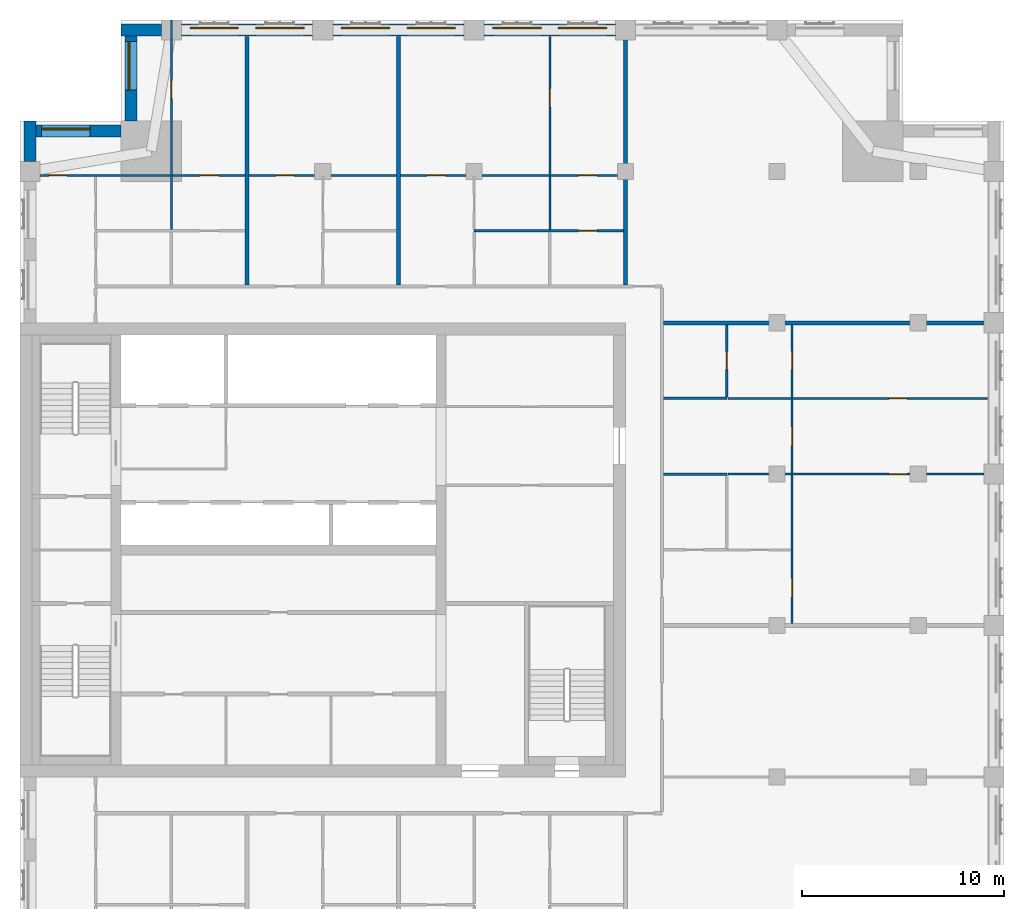
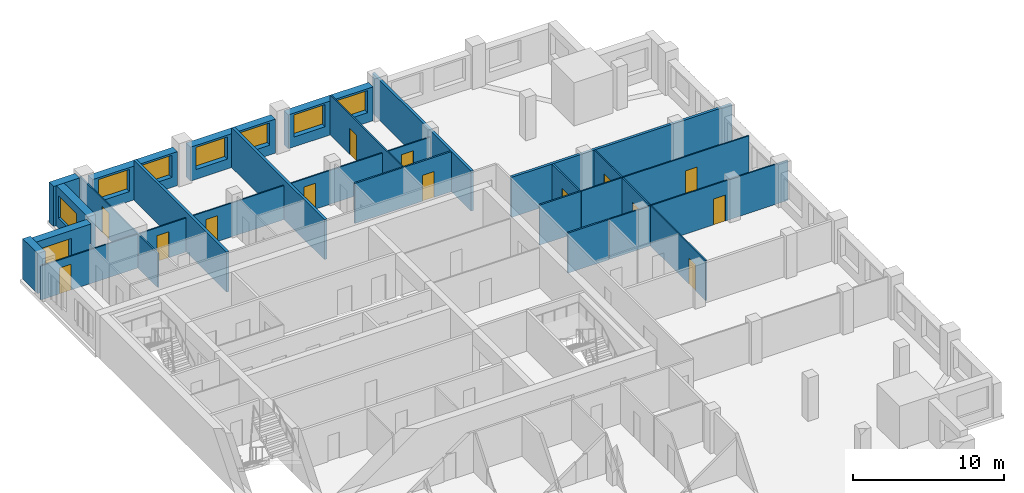
# One storey, part 7 of 10: 21 walls, 14 doors, 8 windows, 22 openings.
"""IFC4 building model written with IfcOpenShell, lengths in metres."""

from ifc_helpers import new_model, si_unit, direction, frame, frame_2d, origin, place, context, subcontext, project, spatial, rectangle, extrude, material, layer, layer_set, type_object, element, fill, save


model = new_model("IFC4")

# Units and contexts
model_context = context("Model", 3, precision=1e-05, world=origin(), true_north=direction((0.0, 1.0)))
body_context = subcontext(model_context, "Body", "Model", "MODEL_VIEW")
ifc_project = project(units=[si_unit("LENGTHUNIT", "METRE"), si_unit("AREAUNIT", "SQUARE_METRE"), si_unit("VOLUMEUNIT", "CUBIC_METRE"), si_unit("PLANEANGLEUNIT", "RADIAN"), si_unit("MASSUNIT", "GRAM", prefix="KILO")], contexts=[model_context])

# Site, building, storey
site_placement = place(None, origin())
site = spatial("IfcSite", under=ifc_project, at=site_placement, CompositionType="ELEMENT")
building_placement = place(site_placement, origin())
building = spatial("IfcBuilding", under=site, at=building_placement, Name="Tamorin Gate", CompositionType="ELEMENT")
storey_placement = place(building_placement, frame((0.0, 0.0, 223.199951171875)))
storey = spatial("IfcBuildingStorey", under=building, at=storey_placement, Name="L55", CompositionType="ELEMENT", Elevation=223.199951171875)

# Wall, openings, windows
ifc_material_1 = material(Name="Precast concrete C40/50", Category="concrete")
ifc_layer_1 = layer(ifc_material_1, 0.60009765625)
ifc_layer_set_1 = layer_set([ifc_layer_1], Name="Precast concrete C40/50")
wall_type_1 = type_object("IfcWallType", Name="Board-marked concrete facade panel 600", PredefinedType="SOLIDWALL", material=ifc_layer_set_1)
wall_1_placement = place(storey_placement, frame((59.5, 97.0, 0.0), z_axis=(0.0, 0.0, 1.0), x_axis=(-1.0, 0.0, 0.0)))
wall_1 = element("IfcWall", 1, at=wall_1_placement, inside=storey, type_object=wall_type_1, Name="Facade panel", PredefinedType="SOLIDWALL", context=body_context, shape_type="SweptSolid", body=[
    extrude(rectangle(XDim=6.5, YDim=0.60009765625, at=frame_2d((3.25, 0.0))), origin(), (0.0, 0.0, 1.0), 2.75),
])
opening_1_placement = place(wall_1_placement, frame((3.675048828125, 0.0, 0.800048828125)))
opening_1 = element("IfcOpeningElement", 2, at=opening_1_placement, cuts=wall_1, Name="Opening WN1", PredefinedType="OPENING", context=body_context, shape_type="SweptSolid", body=[
    extrude(rectangle(XDim=2.39990234375, YDim=1.800048828125, at=frame_2d((1.199951171875, 0.89990234375))), frame((0.0, 0.31005859375, 0.0), z_axis=(0.0, -1.0, 0.0), x_axis=(1.0, 0.0, 0.0)), (0.0, 0.0, 1.0), 0.6201171875),
])
opening_2_placement = place(wall_1_placement, frame((0.425048828125, 0.0, 0.800048828125)))
opening_2 = element("IfcOpeningElement", 3, at=opening_2_placement, cuts=wall_1, Name="Opening WN1", PredefinedType="OPENING", context=body_context, shape_type="SweptSolid", body=[
    extrude(rectangle(XDim=2.39990234375, YDim=1.800048828125, at=frame_2d((1.199951171875, 0.89990234375))), frame((0.0, 0.31005859375, 0.0), z_axis=(0.0, -1.0, 0.0), x_axis=(1.0, 0.0, 0.0)), (0.0, 0.0, 1.0), 0.6201171875),
])
ifc_material_2 = material(Name="Clear glass in aluminium frame", Category="aluminium")
window_type = type_object("IfcWindowType", Name="Deep-set window 2400x1800", PartitioningType="SINGLE_PANEL", PredefinedType="WINDOW", material=ifc_material_2)
window_1_placement = place(opening_1_placement, origin())
window_1 = element("IfcWindow", 4, at=window_1_placement, inside=storey, type_object=window_type, Name="Deep-set window", OverallHeight=1.800048828125, OverallWidth=2.39990234375, PartitioningType="SINGLE_PANEL", PredefinedType="WINDOW", context=body_context, shape_type="SweptSolid", body=[
    extrude(rectangle(XDim=2.39990234375, YDim=1.800048828125, at=frame_2d((1.199951171875, 0.89990234375))), frame((0.0, -0.070068359375, 0.0), z_axis=(0.0, -1.0, 0.0), x_axis=(1.0, 0.0, 0.0)), (0.0, 0.0, 1.0), 0.06005859375),
])
fill(opening_1, window_1)
window_2_placement = place(opening_2_placement, origin())
window_2 = element("IfcWindow", 5, at=window_2_placement, inside=storey, type_object=window_type, Name="Deep-set window", OverallHeight=1.800048828125, OverallWidth=2.39990234375, PartitioningType="SINGLE_PANEL", PredefinedType="WINDOW", context=body_context, shape_type="SweptSolid", body=[
    extrude(rectangle(XDim=2.39990234375, YDim=1.800048828125, at=frame_2d((1.199951171875, 0.89990234375))), frame((0.0, -0.070068359375, 0.0), z_axis=(0.0, -1.0, 0.0), x_axis=(1.0, 0.0, 0.0)), (0.0, 0.0, 1.0), 0.06005859375),
])
fill(opening_2, window_2)

wall_2_placement = place(storey_placement, frame((52.0, 97.0, 0.0), z_axis=(0.0, 0.0, 1.0), x_axis=(-1.0, 0.0, 0.0)))
wall_2 = element("IfcWall", 6, at=wall_2_placement, inside=storey, type_object=wall_type_1, Name="Facade panel", PredefinedType="SOLIDWALL", context=body_context, shape_type="SweptSolid", body=[
    extrude(rectangle(XDim=6.5, YDim=0.60009765625, at=frame_2d((3.25, 0.0))), origin(), (0.0, 0.0, 1.0), 2.75),
])
opening_3_placement = place(wall_2_placement, frame((3.675048828125, 0.0, 0.800048828125)))
opening_3 = element("IfcOpeningElement", 7, at=opening_3_placement, cuts=wall_2, Name="Opening WN1", PredefinedType="OPENING", context=body_context, shape_type="SweptSolid", body=[
    extrude(rectangle(XDim=2.39990234375, YDim=1.800048828125, at=frame_2d((1.199951171875, 0.89990234375))), frame((0.0, 0.31005859375, 0.0), z_axis=(0.0, -1.0, 0.0), x_axis=(1.0, 0.0, 0.0)), (0.0, 0.0, 1.0), 0.6201171875),
])
opening_4_placement = place(wall_2_placement, frame((0.425048828125, 0.0, 0.800048828125)))
opening_4 = element("IfcOpeningElement", 8, at=opening_4_placement, cuts=wall_2, Name="Opening WN1", PredefinedType="OPENING", context=body_context, shape_type="SweptSolid", body=[
    extrude(rectangle(XDim=2.39990234375, YDim=1.800048828125, at=frame_2d((1.199951171875, 0.89990234375))), frame((0.0, 0.31005859375, 0.0), z_axis=(0.0, -1.0, 0.0), x_axis=(1.0, 0.0, 0.0)), (0.0, 0.0, 1.0), 0.6201171875),
])
window_3_placement = place(opening_3_placement, origin())
window_3 = element("IfcWindow", 9, at=window_3_placement, inside=storey, type_object=window_type, Name="Deep-set window", OverallHeight=1.800048828125, OverallWidth=2.39990234375, PartitioningType="SINGLE_PANEL", PredefinedType="WINDOW", context=body_context, shape_type="SweptSolid", body=[
    extrude(rectangle(XDim=2.39990234375, YDim=1.800048828125, at=frame_2d((1.199951171875, 0.89990234375))), frame((0.0, -0.070068359375, 0.0), z_axis=(0.0, -1.0, 0.0), x_axis=(1.0, 0.0, 0.0)), (0.0, 0.0, 1.0), 0.06005859375),
])
fill(opening_3, window_3)
window_4_placement = place(opening_4_placement, origin())
window_4 = element("IfcWindow", 10, at=window_4_placement, inside=storey, type_object=window_type, Name="Deep-set window", OverallHeight=1.800048828125, OverallWidth=2.39990234375, PartitioningType="SINGLE_PANEL", PredefinedType="WINDOW", context=body_context, shape_type="SweptSolid", body=[
    extrude(rectangle(XDim=2.39990234375, YDim=1.800048828125, at=frame_2d((1.199951171875, 0.89990234375))), frame((0.0, -0.070068359375, 0.0), z_axis=(0.0, -1.0, 0.0), x_axis=(1.0, 0.0, 0.0)), (0.0, 0.0, 1.0), 0.06005859375),
])
fill(opening_4, window_4)

wall_3_placement = place(storey_placement, frame((44.5, 97.0, 0.0), z_axis=(0.0, 0.0, 1.0), x_axis=(-1.0, 0.0, 0.0)))
wall_3 = element("IfcWall", 11, at=wall_3_placement, inside=storey, type_object=wall_type_1, Name="Facade panel", PredefinedType="SOLIDWALL", context=body_context, shape_type="SweptSolid", body=[
    extrude(rectangle(XDim=6.5, YDim=0.60009765625, at=frame_2d((3.25, 0.0))), origin(), (0.0, 0.0, 1.0), 2.75),
])
opening_5_placement = place(wall_3_placement, frame((3.675048828125, 0.0, 0.800048828125)))
opening_5 = element("IfcOpeningElement", 12, at=opening_5_placement, cuts=wall_3, Name="Opening WN1", PredefinedType="OPENING", context=body_context, shape_type="SweptSolid", body=[
    extrude(rectangle(XDim=2.39990234375, YDim=1.800048828125, at=frame_2d((1.199951171875, 0.89990234375))), frame((0.0, 0.31005859375, 0.0), z_axis=(0.0, -1.0, 0.0), x_axis=(1.0, 0.0, 0.0)), (0.0, 0.0, 1.0), 0.6201171875),
])
opening_6_placement = place(wall_3_placement, frame((0.425048828125, 0.0, 0.800048828125)))
opening_6 = element("IfcOpeningElement", 13, at=opening_6_placement, cuts=wall_3, Name="Opening WN1", PredefinedType="OPENING", context=body_context, shape_type="SweptSolid", body=[
    extrude(rectangle(XDim=2.39990234375, YDim=1.800048828125, at=frame_2d((1.199951171875, 0.89990234375))), frame((0.0, 0.31005859375, 0.0), z_axis=(0.0, -1.0, 0.0), x_axis=(1.0, 0.0, 0.0)), (0.0, 0.0, 1.0), 0.6201171875),
])
window_5_placement = place(opening_5_placement, origin())
window_5 = element("IfcWindow", 14, at=window_5_placement, inside=storey, type_object=window_type, Name="Deep-set window", OverallHeight=1.800048828125, OverallWidth=2.39990234375, PartitioningType="SINGLE_PANEL", PredefinedType="WINDOW", context=body_context, shape_type="SweptSolid", body=[
    extrude(rectangle(XDim=2.39990234375, YDim=1.800048828125, at=frame_2d((1.199951171875, 0.89990234375))), frame((0.0, -0.070068359375, 0.0), z_axis=(0.0, -1.0, 0.0), x_axis=(1.0, 0.0, 0.0)), (0.0, 0.0, 1.0), 0.06005859375),
])
fill(opening_5, window_5)
window_6_placement = place(opening_6_placement, origin())
window_6 = element("IfcWindow", 15, at=window_6_placement, inside=storey, type_object=window_type, Name="Deep-set window", OverallHeight=1.800048828125, OverallWidth=2.39990234375, PartitioningType="SINGLE_PANEL", PredefinedType="WINDOW", context=body_context, shape_type="SweptSolid", body=[
    extrude(rectangle(XDim=2.39990234375, YDim=1.800048828125, at=frame_2d((1.199951171875, 0.89990234375))), frame((0.0, -0.070068359375, 0.0), z_axis=(0.0, -1.0, 0.0), x_axis=(1.0, 0.0, 0.0)), (0.0, 0.0, 1.0), 0.06005859375),
])
fill(opening_6, window_6)

# Wall
wall_4_placement = place(storey_placement, frame((37.0, 97.0, 0.0), z_axis=(0.0, 0.0, 1.0), x_axis=(-1.0, 0.0, 0.0)))
element("IfcWall", 16, at=wall_4_placement, inside=storey, type_object=wall_type_1, Name="Facade panel", PredefinedType="SOLIDWALL", context=body_context, shape_type="SweptSolid", body=[
    extrude(rectangle(XDim=2.0, YDim=0.60009765625, at=frame_2d((1.0, 0.0))), origin(), (0.0, 0.0, 1.0), 3.25),
])

# Wall, opening, window
wall_5_placement = place(storey_placement, frame((35.5, 96.699951171875, 0.0), z_axis=(0.0, 0.0, 1.0), x_axis=(0.0, -1.0, 0.0)))
wall_5 = element("IfcWall", 17, at=wall_5_placement, inside=storey, type_object=wall_type_1, Name="Facade panel", PredefinedType="SOLIDWALL", context=body_context, shape_type="SweptSolid", body=[
    extrude(rectangle(XDim=4.199951171875, YDim=0.60009765625, at=frame_2d((2.10009765625, 0.0))), origin(), (0.0, 0.0, 1.0), 3.25),
])
opening_7_placement = place(wall_5_placement, frame((0.27490234375, 0.0, 0.800048828125)))
opening_7 = element("IfcOpeningElement", 18, at=opening_7_placement, cuts=wall_5, Name="Opening WN1", PredefinedType="OPENING", context=body_context, shape_type="SweptSolid", body=[
    extrude(rectangle(XDim=2.39990234375, YDim=1.800048828125, at=frame_2d((1.199951171875, 0.89990234375))), frame((0.0, 0.31005859375, 0.0), z_axis=(0.0, -1.0, 0.0), x_axis=(1.0, 0.0, 0.0)), (0.0, 0.0, 1.0), 0.6201171875),
])
window_7_placement = place(opening_7_placement, origin())
window_7 = element("IfcWindow", 19, at=window_7_placement, inside=storey, type_object=window_type, Name="Deep-set window", OverallHeight=1.800048828125, OverallWidth=2.39990234375, PartitioningType="SINGLE_PANEL", PredefinedType="WINDOW", context=body_context, shape_type="SweptSolid", body=[
    extrude(rectangle(XDim=2.39990234375, YDim=1.800048828125, at=frame_2d((1.199951171875, 0.89990234375))), frame((0.0, -0.070068359375, 0.0), z_axis=(0.0, -1.0, 0.0), x_axis=(1.0, 0.0, 0.0)), (0.0, 0.0, 1.0), 0.06005859375),
])
fill(opening_7, window_7)

wall_6_placement = place(storey_placement, frame((35.0, 92.0, 0.0), z_axis=(0.0, 0.0, 1.0), x_axis=(-1.0, 0.0, 0.0)))
wall_6 = element("IfcWall", 20, at=wall_6_placement, inside=storey, type_object=wall_type_1, Name="Facade panel", PredefinedType="SOLIDWALL", context=body_context, shape_type="SweptSolid", body=[
    extrude(rectangle(XDim=4.199951171875, YDim=0.60009765625, at=frame_2d((2.10009765625, 0.0))), origin(), (0.0, 0.0, 1.0), 3.25),
])
opening_8_placement = place(wall_6_placement, frame((1.52490234375, 0.0, 0.800048828125)))
opening_8 = element("IfcOpeningElement", 21, at=opening_8_placement, cuts=wall_6, Name="Opening WN1", PredefinedType="OPENING", context=body_context, shape_type="SweptSolid", body=[
    extrude(rectangle(XDim=2.39990234375, YDim=1.800048828125, at=frame_2d((1.199951171875, 0.89990234375))), frame((0.0, 0.31005859375, 0.0), z_axis=(0.0, -1.0, 0.0), x_axis=(1.0, 0.0, 0.0)), (0.0, 0.0, 1.0), 0.6201171875),
])
window_8_placement = place(opening_8_placement, origin())
window_8 = element("IfcWindow", 22, at=window_8_placement, inside=storey, type_object=window_type, Name="Deep-set window", OverallHeight=1.800048828125, OverallWidth=2.39990234375, PartitioningType="SINGLE_PANEL", PredefinedType="WINDOW", context=body_context, shape_type="SweptSolid", body=[
    extrude(rectangle(XDim=2.39990234375, YDim=1.800048828125, at=frame_2d((1.199951171875, 0.89990234375))), frame((0.0, -0.070068359375, 0.0), z_axis=(0.0, -1.0, 0.0), x_axis=(1.0, 0.0, 0.0)), (0.0, 0.0, 1.0), 0.06005859375),
])
fill(opening_8, window_8)

# Walls
wall_7_placement = place(storey_placement, frame((30.5, 92.5, 0.0), z_axis=(0.0, 0.0, 1.0), x_axis=(0.0, -1.0, 0.0)))
element("IfcWall", 23, at=wall_7_placement, inside=storey, type_object=wall_type_1, Name="Facade panel", PredefinedType="SOLIDWALL", context=body_context, shape_type="SweptSolid", body=[
    extrude(rectangle(XDim=2.0, YDim=0.60009765625, at=frame_2d((1.0, 0.0))), origin(), (0.0, 0.0, 1.0), 3.25),
])
ifc_material_3 = material(Name="Gypsum board partition")
ifc_layer_2 = layer(ifc_material_3, 0.199951171875)
ifc_layer_set_2 = layer_set([ifc_layer_2], Name="Demising wall 200")
wall_type_2 = type_object("IfcWallType", Name="Demising wall 200", PredefinedType="PARTITIONING", material=ifc_layer_set_2)
wall_8_placement = place(storey_placement, frame((61.875, 82.5, 0.0), z_axis=(0.0, 0.0, 1.0), x_axis=(1.0, 0.0, 0.0)))
element("IfcWall", 24, at=wall_8_placement, inside=storey, type_object=wall_type_2, Name="Demising wall 200", PredefinedType="PARTITIONING", context=body_context, shape_type="SweptSolid", body=[
    extrude(rectangle(XDim=16.875, YDim=0.199951171875, at=frame_2d((8.4375, 0.0))), origin(), (0.0, 0.0, 1.0), 3.25),
])
for number, where, z_axis, x_axis, name in (
    (25, (41.25, 84.375, 0.0), (0.0, 0.0, 1.0), (0.0, 1.0, 0.0), "Demising wall 200"),
    (26, (48.75, 84.375, 0.0), (0.0, 0.0, 1.0), (0.0, 1.0, 0.0), "Demising wall 200"),
):
    element("IfcWall", number, at=place(storey_placement, frame(where, z_axis=z_axis, x_axis=x_axis)), inside=storey, type_object=wall_type_2, Name=name, PredefinedType="PARTITIONING", context=body_context, shape_type="SweptSolid", body=[
        extrude(rectangle(XDim=12.31494140625, YDim=0.199951171875, at=frame_2d((6.157470703125, 0.0))), origin(), (0.0, 0.0, 1.0), 3.25),
    ])
wall_9_placement = place(storey_placement, frame((60.0, 84.375, 0.0), z_axis=(0.0, 0.0, 1.0), x_axis=(0.0, 1.0, 0.0)))
element("IfcWall", 27, at=wall_9_placement, inside=storey, type_object=wall_type_2, Name="Demising wall 200", PredefinedType="PARTITIONING", context=body_context, shape_type="SweptSolid", body=[
    extrude(rectangle(XDim=13.125, YDim=0.199951171875, at=frame_2d((6.5625, 0.0))), origin(), (0.0, 0.0, 1.0), 3.25),
])

# Wall, opening, door
ifc_layer_3 = layer(ifc_material_3, 0.10009765625)
ifc_layer_set_3 = layer_set([ifc_layer_3], Name="Room partition 100")
wall_type_3 = type_object("IfcWallType", Name="Room partition 100", PredefinedType="PARTITIONING", material=ifc_layer_set_3)
wall_10_placement = place(storey_placement, frame((65.08740234375, 75.0, 0.0), z_axis=(0.0, 0.0, 1.0), x_axis=(1.0, 0.0, 0.0)))
wall_10 = element("IfcWall", 28, at=wall_10_placement, inside=storey, type_object=wall_type_3, Name="Room partition 100", PredefinedType="PARTITIONING", context=body_context, shape_type="SweptSolid", body=[
    extrude(rectangle(XDim=13.66259765625, YDim=0.10009765625, at=frame_2d((6.831298828125, 0.0))), origin(), (0.0, 0.0, 1.0), 3.25),
])
opening_9_placement = place(wall_10_placement, frame((7.96240234375, 0.0, 0.0)))
opening_9 = element("IfcOpeningElement", 29, at=opening_9_placement, cuts=wall_10, Name="Opening DR5049", PredefinedType="OPENING", context=body_context, shape_type="SweptSolid", body=[
    extrude(rectangle(XDim=0.89990234375, YDim=2.10009765625, at=frame_2d((0.449951171875, 1.050048828125))), frame((0.0, 0.06005859375, 0.0), z_axis=(0.0, -1.0, 0.0), x_axis=(1.0, 0.0, 0.0)), (0.0, 0.0, 1.0), 0.1201171875),
])
ifc_material_4 = material(Name="Timber door leaf", Category="wood")
door_type = type_object("IfcDoorType", Name="Door 900 x 2100", OperationType="NOTDEFINED", PredefinedType="DOOR", material=ifc_material_4)
door_1_placement = place(opening_9_placement, origin())
door_1 = element("IfcDoor", 30, at=door_1_placement, inside=storey, type_object=door_type, Name="Door DR5049", OperationType="SINGLE_SWING_RIGHT", OverallHeight=2.10009765625, OverallWidth=0.89990234375, PredefinedType="DOOR", context=body_context, shape_type="SweptSolid", body=[
    extrude(rectangle(XDim=0.89990234375, YDim=2.10009765625, at=frame_2d((0.449951171875, 1.050048828125))), frame((0.0, 0.02490234375, 0.0), z_axis=(0.0, -1.0, 0.0), x_axis=(1.0, 0.0, 0.0)), (0.0, 0.0, 1.0), 0.050048828125),
])
fill(opening_9, door_1)

wall_11_placement = place(storey_placement, frame((65.08740234375, 78.75, 0.0), z_axis=(0.0, 0.0, 1.0), x_axis=(1.0, 0.0, 0.0)))
wall_11 = element("IfcWall", 31, at=wall_11_placement, inside=storey, type_object=wall_type_3, Name="Room partition 100", PredefinedType="PARTITIONING", context=body_context, shape_type="SweptSolid", body=[
    extrude(rectangle(XDim=12.8525390625, YDim=0.10009765625, at=frame_2d((6.42626953125, 0.0))), origin(), (0.0, 0.0, 1.0), 3.25),
])
opening_10_placement = place(wall_11_placement, frame((7.96240234375, 0.0, 0.0)))
opening_10 = element("IfcOpeningElement", 32, at=opening_10_placement, cuts=wall_11, Name="Opening DR5050", PredefinedType="OPENING", context=body_context, shape_type="SweptSolid", body=[
    extrude(rectangle(XDim=0.89990234375, YDim=2.10009765625, at=frame_2d((0.449951171875, 1.050048828125))), frame((0.0, 0.06005859375, 0.0), z_axis=(0.0, -1.0, 0.0), x_axis=(1.0, 0.0, 0.0)), (0.0, 0.0, 1.0), 0.1201171875),
])
door_2_placement = place(opening_10_placement, origin())
door_2 = element("IfcDoor", 33, at=door_2_placement, inside=storey, type_object=door_type, Name="Door DR5050", OperationType="SINGLE_SWING_RIGHT", OverallHeight=2.10009765625, OverallWidth=0.89990234375, PredefinedType="DOOR", context=body_context, shape_type="SweptSolid", body=[
    extrude(rectangle(XDim=0.89990234375, YDim=2.10009765625, at=frame_2d((0.449951171875, 1.050048828125))), frame((0.0, 0.02490234375, 0.0), z_axis=(0.0, -1.0, 0.0), x_axis=(1.0, 0.0, 0.0)), (0.0, 0.0, 1.0), 0.050048828125),
])
fill(opening_10, door_2)

# Wall, openings, doors
wall_12_placement = place(storey_placement, frame((30.0, 89.800048828125, 0.0), z_axis=(0.0, 0.0, 1.0), x_axis=(1.0, 0.0, 0.0)))
wall_12 = element("IfcWall", 34, at=wall_12_placement, inside=storey, type_object=wall_type_3, Name="Room partition 100", PredefinedType="PARTITIONING", context=body_context, shape_type="SweptSolid", body=[
    extrude(rectangle(XDim=29.89990234375, YDim=0.10009765625, at=frame_2d((14.949951171875, 0.0))), origin(), (0.0, 0.0, 1.0), 2.75),
])
opening_11_placement = place(wall_12_placement, frame((1.425048828125, 0.0, 0.0)))
opening_11 = element("IfcOpeningElement", 35, at=opening_11_placement, cuts=wall_12, Name="Opening DR5023", PredefinedType="OPENING", context=body_context, shape_type="SweptSolid", body=[
    extrude(rectangle(XDim=0.89990234375, YDim=2.10009765625, at=frame_2d((0.449951171875, 1.050048828125))), frame((0.0, 0.06005859375, 0.0), z_axis=(0.0, -1.0, 0.0), x_axis=(1.0, 0.0, 0.0)), (0.0, 0.0, 1.0), 0.1201171875),
])
opening_12_placement = place(wall_12_placement, frame((8.925048828125, 0.0, 0.0)))
opening_12 = element("IfcOpeningElement", 36, at=opening_12_placement, cuts=wall_12, Name="Opening DR5026", PredefinedType="OPENING", context=body_context, shape_type="SweptSolid", body=[
    extrude(rectangle(XDim=0.89990234375, YDim=2.10009765625, at=frame_2d((0.449951171875, 1.050048828125))), frame((0.0, 0.06005859375, 0.0), z_axis=(0.0, -1.0, 0.0), x_axis=(1.0, 0.0, 0.0)), (0.0, 0.0, 1.0), 0.1201171875),
])
opening_13_placement = place(wall_12_placement, frame((12.675048828125, 0.0, 0.0)))
opening_13 = element("IfcOpeningElement", 37, at=opening_13_placement, cuts=wall_12, Name="Opening DR5030", PredefinedType="OPENING", context=body_context, shape_type="SweptSolid", body=[
    extrude(rectangle(XDim=0.89990234375, YDim=2.10009765625, at=frame_2d((0.449951171875, 1.050048828125))), frame((0.0, 0.06005859375, 0.0), z_axis=(0.0, -1.0, 0.0), x_axis=(1.0, 0.0, 0.0)), (0.0, 0.0, 1.0), 0.1201171875),
])
opening_14_placement = place(wall_12_placement, frame((20.175048828125, 0.0, 0.0)))
opening_14 = element("IfcOpeningElement", 38, at=opening_14_placement, cuts=wall_12, Name="Opening DR5034", PredefinedType="OPENING", context=body_context, shape_type="SweptSolid", body=[
    extrude(rectangle(XDim=0.89990234375, YDim=2.10009765625, at=frame_2d((0.449951171875, 1.050048828125))), frame((0.0, 0.06005859375, 0.0), z_axis=(0.0, -1.0, 0.0), x_axis=(1.0, 0.0, 0.0)), (0.0, 0.0, 1.0), 0.1201171875),
])
opening_15_placement = place(wall_12_placement, frame((27.675048828125, 0.0, 0.0)))
opening_15 = element("IfcOpeningElement", 39, at=opening_15_placement, cuts=wall_12, Name="Opening DR5037", PredefinedType="OPENING", context=body_context, shape_type="SweptSolid", body=[
    extrude(rectangle(XDim=0.89990234375, YDim=2.10009765625, at=frame_2d((0.449951171875, 1.050048828125))), frame((0.0, 0.06005859375, 0.0), z_axis=(0.0, -1.0, 0.0), x_axis=(1.0, 0.0, 0.0)), (0.0, 0.0, 1.0), 0.1201171875),
])
door_3_placement = place(opening_11_placement, origin())
door_3 = element("IfcDoor", 40, at=door_3_placement, inside=storey, type_object=door_type, Name="Door DR5023", OperationType="SINGLE_SWING_RIGHT", OverallHeight=2.10009765625, OverallWidth=0.89990234375, PredefinedType="DOOR", context=body_context, shape_type="SweptSolid", body=[
    extrude(rectangle(XDim=0.89990234375, YDim=2.10009765625, at=frame_2d((0.449951171875, 1.050048828125))), frame((0.0, 0.02490234375, 0.0), z_axis=(0.0, -1.0, 0.0), x_axis=(1.0, 0.0, 0.0)), (0.0, 0.0, 1.0), 0.050048828125),
])
fill(opening_11, door_3)
door_4_placement = place(opening_12_placement, origin())
door_4 = element("IfcDoor", 41, at=door_4_placement, inside=storey, type_object=door_type, Name="Door DR5026", OperationType="SINGLE_SWING_RIGHT", OverallHeight=2.10009765625, OverallWidth=0.89990234375, PredefinedType="DOOR", context=body_context, shape_type="SweptSolid", body=[
    extrude(rectangle(XDim=0.89990234375, YDim=2.10009765625, at=frame_2d((0.449951171875, 1.050048828125))), frame((0.0, 0.02490234375, 0.0), z_axis=(0.0, -1.0, 0.0), x_axis=(1.0, 0.0, 0.0)), (0.0, 0.0, 1.0), 0.050048828125),
])
fill(opening_12, door_4)
door_5_placement = place(opening_13_placement, origin())
door_5 = element("IfcDoor", 42, at=door_5_placement, inside=storey, type_object=door_type, Name="Door DR5030", OperationType="SINGLE_SWING_RIGHT", OverallHeight=2.10009765625, OverallWidth=0.89990234375, PredefinedType="DOOR", context=body_context, shape_type="SweptSolid", body=[
    extrude(rectangle(XDim=0.89990234375, YDim=2.10009765625, at=frame_2d((0.449951171875, 1.050048828125))), frame((0.0, 0.02490234375, 0.0), z_axis=(0.0, -1.0, 0.0), x_axis=(1.0, 0.0, 0.0)), (0.0, 0.0, 1.0), 0.050048828125),
])
fill(opening_13, door_5)
door_6_placement = place(opening_14_placement, origin())
door_6 = element("IfcDoor", 43, at=door_6_placement, inside=storey, type_object=door_type, Name="Door DR5034", OperationType="SINGLE_SWING_RIGHT", OverallHeight=2.10009765625, OverallWidth=0.89990234375, PredefinedType="DOOR", context=body_context, shape_type="SweptSolid", body=[
    extrude(rectangle(XDim=0.89990234375, YDim=2.10009765625, at=frame_2d((0.449951171875, 1.050048828125))), frame((0.0, 0.02490234375, 0.0), z_axis=(0.0, -1.0, 0.0), x_axis=(1.0, 0.0, 0.0)), (0.0, 0.0, 1.0), 0.050048828125),
])
fill(opening_14, door_6)
door_7_placement = place(opening_15_placement, origin())
door_7 = element("IfcDoor", 44, at=door_7_placement, inside=storey, type_object=door_type, Name="Door DR5037", OperationType="SINGLE_SWING_RIGHT", OverallHeight=2.10009765625, OverallWidth=0.89990234375, PredefinedType="DOOR", context=body_context, shape_type="SweptSolid", body=[
    extrude(rectangle(XDim=0.89990234375, YDim=2.10009765625, at=frame_2d((0.449951171875, 1.050048828125))), frame((0.0, 0.02490234375, 0.0), z_axis=(0.0, -1.0, 0.0), x_axis=(1.0, 0.0, 0.0)), (0.0, 0.0, 1.0), 0.050048828125),
])
fill(opening_15, door_7)

# Wall, opening, door
wall_13_placement = place(storey_placement, frame((37.5, 87.112548828125, 0.0), z_axis=(0.0, 0.0, 1.0), x_axis=(0.0, 1.0, 0.0)))
wall_13 = element("IfcWall", 45, at=wall_13_placement, inside=storey, type_object=wall_type_3, Name="Room partition 100", PredefinedType="PARTITIONING", context=body_context, shape_type="SweptSolid", body=[
    extrude(rectangle(XDim=10.387451171875, YDim=0.10009765625, at=frame_2d((5.19384765625, 0.0))), origin(), (0.0, 0.0, 1.0), 2.75),
])
opening_16_placement = place(wall_13_placement, frame((6.487548828125, 0.0, 0.0)))
opening_16 = element("IfcOpeningElement", 46, at=opening_16_placement, cuts=wall_13, Name="Opening DR5028", PredefinedType="OPENING", context=body_context, shape_type="SweptSolid", body=[
    extrude(rectangle(XDim=0.89990234375, YDim=2.10009765625, at=frame_2d((0.449951171875, 1.050048828125))), frame((0.0, 0.06005859375, 0.0), z_axis=(0.0, -1.0, 0.0), x_axis=(1.0, 0.0, 0.0)), (0.0, 0.0, 1.0), 0.1201171875),
])
door_8_placement = place(opening_16_placement, origin())
door_8 = element("IfcDoor", 47, at=door_8_placement, inside=storey, type_object=door_type, Name="Door DR5028", OperationType="SINGLE_SWING_RIGHT", OverallHeight=2.10009765625, OverallWidth=0.89990234375, PredefinedType="DOOR", context=body_context, shape_type="SweptSolid", body=[
    extrude(rectangle(XDim=0.89990234375, YDim=2.10009765625, at=frame_2d((0.449951171875, 1.050048828125))), frame((0.0, 0.02490234375, 0.0), z_axis=(0.0, -1.0, 0.0), x_axis=(1.0, 0.0, 0.0)), (0.0, 0.0, 1.0), 0.050048828125),
])
fill(opening_16, door_8)

wall_14_placement = place(storey_placement, frame((56.25, 87.112548828125, 0.0), z_axis=(0.0, 0.0, 1.0), x_axis=(0.0, 1.0, 0.0)))
wall_14 = element("IfcWall", 48, at=wall_14_placement, inside=storey, type_object=wall_type_3, Name="Room partition 100", PredefinedType="PARTITIONING", context=body_context, shape_type="SweptSolid", body=[
    extrude(rectangle(XDim=9.577392578125, YDim=0.10009765625, at=frame_2d((4.78857421875, 0.0))), origin(), (0.0, 0.0, 1.0), 3.25),
])
opening_17_placement = place(wall_14_placement, frame((6.08740234375, 0.0, 0.0)))
opening_17 = element("IfcOpeningElement", 49, at=opening_17_placement, cuts=wall_14, Name="Opening DR5039", PredefinedType="OPENING", context=body_context, shape_type="SweptSolid", body=[
    extrude(rectangle(XDim=0.89990234375, YDim=2.10009765625, at=frame_2d((0.449951171875, 1.050048828125))), frame((0.0, 0.06005859375, 0.0), z_axis=(0.0, -1.0, 0.0), x_axis=(1.0, 0.0, 0.0)), (0.0, 0.0, 1.0), 0.1201171875),
])
door_9_placement = place(opening_17_placement, origin())
door_9 = element("IfcDoor", 50, at=door_9_placement, inside=storey, type_object=door_type, Name="Door DR5039", OperationType="SINGLE_SWING_LEFT", OverallHeight=2.10009765625, OverallWidth=0.89990234375, PredefinedType="DOOR", context=body_context, shape_type="SweptSolid", body=[
    extrude(rectangle(XDim=0.89990234375, YDim=2.10009765625, at=frame_2d((0.449951171875, 1.050048828125))), frame((0.0, 0.02490234375, 0.0), z_axis=(0.0, -1.0, 0.0), x_axis=(1.0, 0.0, 0.0)), (0.0, 0.0, 1.0), 0.050048828125),
])
fill(opening_17, door_9)

# Wall, openings, doors
wall_15_placement = place(storey_placement, frame((68.25, 67.60009765625, 0.0), z_axis=(0.0, 0.0, 1.0), x_axis=(0.0, 1.0, 0.0)))
wall_15 = element("IfcWall", 51, at=wall_15_placement, inside=storey, type_object=wall_type_3, Name="Room partition 100", PredefinedType="PARTITIONING", context=body_context, shape_type="SweptSolid", body=[
    extrude(rectangle(XDim=14.7998046875, YDim=0.10009765625, at=frame_2d((7.39990234375, 0.0))), origin(), (0.0, 0.0, 1.0), 3.25),
])
opening_18_placement = place(wall_15_placement, frame((1.324951171875, 0.0, 0.0)))
opening_18 = element("IfcOpeningElement", 52, at=opening_18_placement, cuts=wall_15, Name="Opening DR5043", PredefinedType="OPENING", context=body_context, shape_type="SweptSolid", body=[
    extrude(rectangle(XDim=0.89990234375, YDim=2.10009765625, at=frame_2d((0.449951171875, 1.050048828125))), frame((0.0, 0.06005859375, 0.0), z_axis=(0.0, -1.0, 0.0), x_axis=(1.0, 0.0, 0.0)), (0.0, 0.0, 1.0), 0.1201171875),
])
opening_19_placement = place(wall_15_placement, frame((8.824951171875, 0.0, 0.0)))
opening_19 = element("IfcOpeningElement", 53, at=opening_19_placement, cuts=wall_15, Name="Opening DR5046", PredefinedType="OPENING", context=body_context, shape_type="SweptSolid", body=[
    extrude(rectangle(XDim=0.89990234375, YDim=2.10009765625, at=frame_2d((0.449951171875, 1.050048828125))), frame((0.0, 0.06005859375, 0.0), z_axis=(0.0, -1.0, 0.0), x_axis=(1.0, 0.0, 0.0)), (0.0, 0.0, 1.0), 0.1201171875),
])
opening_20_placement = place(wall_15_placement, frame((12.574951171875, 0.0, 0.0)))
opening_20 = element("IfcOpeningElement", 54, at=opening_20_placement, cuts=wall_15, Name="Opening DR5047", PredefinedType="OPENING", context=body_context, shape_type="SweptSolid", body=[
    extrude(rectangle(XDim=0.89990234375, YDim=2.10009765625, at=frame_2d((0.449951171875, 1.050048828125))), frame((0.0, 0.06005859375, 0.0), z_axis=(0.0, -1.0, 0.0), x_axis=(1.0, 0.0, 0.0)), (0.0, 0.0, 1.0), 0.1201171875),
])
door_10_placement = place(opening_18_placement, origin())
door_10 = element("IfcDoor", 55, at=door_10_placement, inside=storey, type_object=door_type, Name="Door DR5043", OperationType="SINGLE_SWING_LEFT", OverallHeight=2.10009765625, OverallWidth=0.89990234375, PredefinedType="DOOR", context=body_context, shape_type="SweptSolid", body=[
    extrude(rectangle(XDim=0.89990234375, YDim=2.10009765625, at=frame_2d((0.449951171875, 1.050048828125))), frame((0.0, 0.02490234375, 0.0), z_axis=(0.0, -1.0, 0.0), x_axis=(1.0, 0.0, 0.0)), (0.0, 0.0, 1.0), 0.050048828125),
])
fill(opening_18, door_10)
door_11_placement = place(opening_19_placement, origin())
door_11 = element("IfcDoor", 56, at=door_11_placement, inside=storey, type_object=door_type, Name="Door DR5046", OperationType="SINGLE_SWING_LEFT", OverallHeight=2.10009765625, OverallWidth=0.89990234375, PredefinedType="DOOR", context=body_context, shape_type="SweptSolid", body=[
    extrude(rectangle(XDim=0.89990234375, YDim=2.10009765625, at=frame_2d((0.449951171875, 1.050048828125))), frame((0.0, 0.02490234375, 0.0), z_axis=(0.0, -1.0, 0.0), x_axis=(1.0, 0.0, 0.0)), (0.0, 0.0, 1.0), 0.050048828125),
])
fill(opening_19, door_11)
door_12_placement = place(opening_20_placement, origin())
door_12 = element("IfcDoor", 57, at=door_12_placement, inside=storey, type_object=door_type, Name="Door DR5047", OperationType="SINGLE_SWING_LEFT", OverallHeight=2.10009765625, OverallWidth=0.89990234375, PredefinedType="DOOR", context=body_context, shape_type="SweptSolid", body=[
    extrude(rectangle(XDim=0.89990234375, YDim=2.10009765625, at=frame_2d((0.449951171875, 1.050048828125))), frame((0.0, 0.02490234375, 0.0), z_axis=(0.0, -1.0, 0.0), x_axis=(1.0, 0.0, 0.0)), (0.0, 0.0, 1.0), 0.050048828125),
])
fill(opening_20, door_12)

# Walls
ifc_layer_4 = layer(ifc_material_3, 0.125)
ifc_layer_set_4 = layer_set([ifc_layer_4], Name="Wet wall 125")
wall_type_4 = type_object("IfcWallType", Name="Wet wall 125", PredefinedType="PARTITIONING", material=ifc_layer_set_4)
for number, where, z_axis, x_axis, name in (
    (58, (61.875, 75.0, 0.0), (0.0, 0.0, 1.0), (1.0, 0.0, 0.0), "Wet wall 125"),
    (59, (61.875, 78.75, 0.0), (0.0, 0.0, 1.0), (1.0, 0.0, 0.0), "Wet wall 125"),
):
    element("IfcWall", number, at=place(storey_placement, frame(where, z_axis=z_axis, x_axis=x_axis)), inside=storey, type_object=wall_type_4, Name=name, PredefinedType="PARTITIONING", context=body_context, shape_type="SweptSolid", body=[
        extrude(rectangle(XDim=3.14990234375, YDim=0.125, at=frame_2d((1.574951171875, 0.0))), origin(), (0.0, 0.0, 1.0), 3.25),
    ])

# Wall, opening, door
wall_16_placement = place(storey_placement, frame((52.5, 87.050048828125, 0.0), z_axis=(0.0, 0.0, 1.0), x_axis=(1.0, 0.0, 0.0)))
wall_16 = element("IfcWall", 60, at=wall_16_placement, inside=storey, type_object=wall_type_4, Name="Wet wall 125", PredefinedType="PARTITIONING", context=body_context, shape_type="SweptSolid", body=[
    extrude(rectangle(XDim=7.39990234375, YDim=0.125, at=frame_2d((3.699951171875, 0.0))), origin(), (0.0, 0.0, 1.0), 3.25),
])
opening_21_placement = place(wall_16_placement, frame((5.175048828125, 0.0, 0.0)))
opening_21 = element("IfcOpeningElement", 61, at=opening_21_placement, cuts=wall_16, Name="Opening DR5038", PredefinedType="OPENING", context=body_context, shape_type="SweptSolid", body=[
    extrude(rectangle(XDim=0.89990234375, YDim=2.10009765625, at=frame_2d((0.449951171875, 1.050048828125))), frame((0.0, 0.072509765625, 0.0), z_axis=(0.0, -1.0, 0.0), x_axis=(1.0, 0.0, 0.0)), (0.0, 0.0, 1.0), 0.14501953125),
])
door_13_placement = place(opening_21_placement, origin())
door_13 = element("IfcDoor", 62, at=door_13_placement, inside=storey, type_object=door_type, Name="Door DR5038", OperationType="SINGLE_SWING_RIGHT", OverallHeight=2.10009765625, OverallWidth=0.89990234375, PredefinedType="DOOR", context=body_context, shape_type="SweptSolid", body=[
    extrude(rectangle(XDim=0.89990234375, YDim=2.10009765625, at=frame_2d((0.449951171875, 1.050048828125))), frame((0.0, 0.02490234375, 0.0), z_axis=(0.0, -1.0, 0.0), x_axis=(1.0, 0.0, 0.0)), (0.0, 0.0, 1.0), 0.050048828125),
])
fill(opening_21, door_13)

wall_17_placement = place(storey_placement, frame((65.02490234375, 78.8125, 0.0), z_axis=(0.0, 0.0, 1.0), x_axis=(0.0, 1.0, 0.0)))
wall_17 = element("IfcWall", 63, at=wall_17_placement, inside=storey, type_object=wall_type_4, Name="Wet wall 125", PredefinedType="PARTITIONING", context=body_context, shape_type="SweptSolid", body=[
    extrude(rectangle(XDim=3.58740234375, YDim=0.125, at=frame_2d((1.793701171875, 0.0))), origin(), (0.0, 0.0, 1.0), 3.25),
])
opening_22_placement = place(wall_17_placement, frame((1.362548828125, 0.0, 0.0)))
opening_22 = element("IfcOpeningElement", 64, at=opening_22_placement, cuts=wall_17, Name="Opening DR5048", PredefinedType="OPENING", context=body_context, shape_type="SweptSolid", body=[
    extrude(rectangle(XDim=0.89990234375, YDim=2.10009765625, at=frame_2d((0.449951171875, 1.050048828125))), frame((0.0, 0.072509765625, 0.0), z_axis=(0.0, -1.0, 0.0), x_axis=(1.0, 0.0, 0.0)), (0.0, 0.0, 1.0), 0.14501953125),
])
door_14_placement = place(opening_22_placement, origin())
door_14 = element("IfcDoor", 65, at=door_14_placement, inside=storey, type_object=door_type, Name="Door DR5048", OperationType="SINGLE_SWING_LEFT", OverallHeight=2.10009765625, OverallWidth=0.89990234375, PredefinedType="DOOR", context=body_context, shape_type="SweptSolid", body=[
    extrude(rectangle(XDim=0.89990234375, YDim=2.10009765625, at=frame_2d((0.449951171875, 1.050048828125))), frame((0.0, 0.02490234375, 0.0), z_axis=(0.0, -1.0, 0.0), x_axis=(1.0, 0.0, 0.0)), (0.0, 0.0, 1.0), 0.050048828125),
])
fill(opening_22, door_14)

save(model, "model.ifc")
